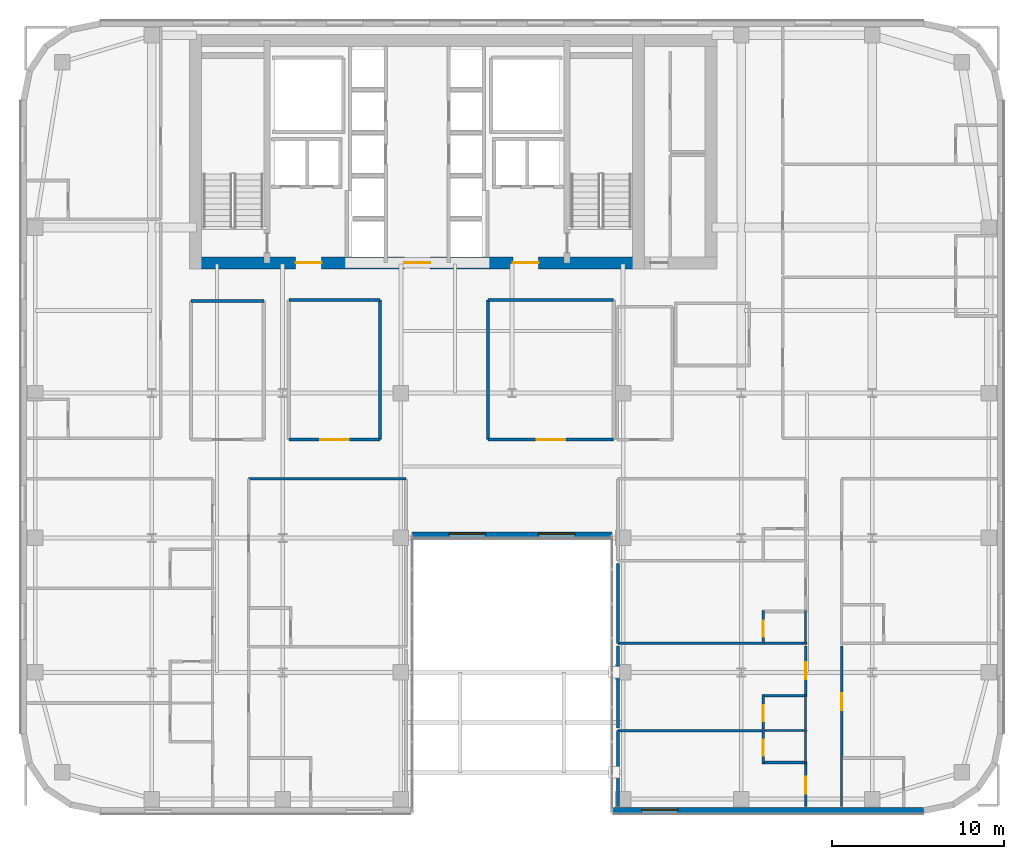
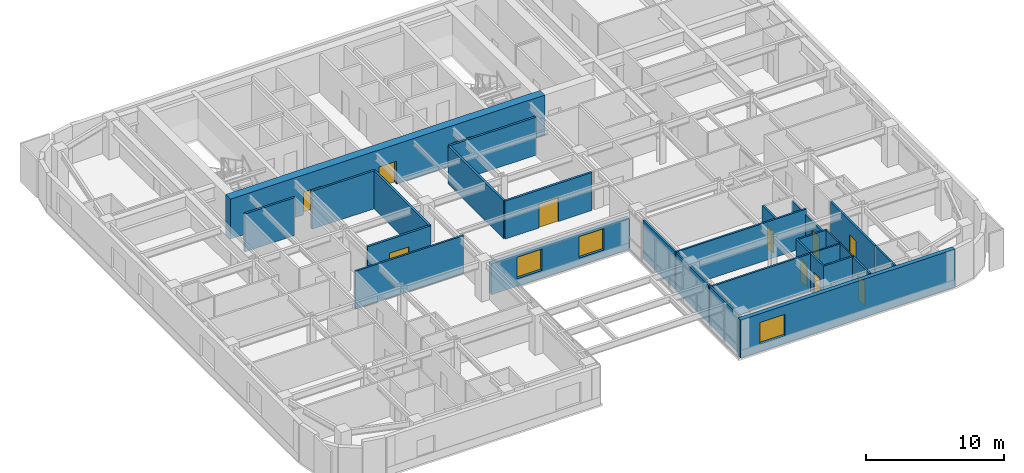
# One storey, part 15 of 24: 29 walls, 11 doors, 3 windows, 14 openings.
"""IFC4 building model written with IfcOpenShell, lengths in metres."""

from ifc_helpers import new_model, si_unit, direction, frame, frame_2d, origin, place, context, subcontext, project, spatial, rectangle, extrude, source, transform, mapped, material, layer, layer_set, type_object, type_shapes, element, fill, save


model = new_model("IFC4")

# Units and contexts
model_context = context("Model", 3, precision=1e-05, world=origin(), true_north=direction((0.0, 1.0)))
body_context = subcontext(model_context, "Body", "Model", "MODEL_VIEW")
ifc_project = project(units=[si_unit("LENGTHUNIT", "METRE"), si_unit("AREAUNIT", "SQUARE_METRE"), si_unit("VOLUMEUNIT", "CUBIC_METRE"), si_unit("PLANEANGLEUNIT", "RADIAN"), si_unit("MASSUNIT", "GRAM", prefix="KILO")], contexts=[model_context])

# Site, building, storey
site_placement = place(None, origin())
site = spatial("IfcSite", under=ifc_project, at=site_placement, CompositionType="ELEMENT")
building_placement = place(site_placement, origin())
building = spatial("IfcBuilding", under=site, at=building_placement, Name="Tolvann Quenvar Hotel", CompositionType="ELEMENT")
storey_placement = place(building_placement, frame((0.0, 0.0, 118.64990234375)))
storey = spatial("IfcBuildingStorey", under=building, at=storey_placement, Name="L30", CompositionType="ELEMENT", Elevation=118.64990234375)

# Wall, openings, doors
ifc_material_1 = material(Name="Concrete S65 (65 MPa)", Category="concrete")
ifc_layer_1 = layer(ifc_material_1, 0.699951171875)
ifc_layer_set_1 = layer_set([ifc_layer_1], Name="Concrete S65 (65 MPa)")
wall_type_1 = type_object("IfcWallType", Name="WALL_CORE_700", PredefinedType="SHEAR", material=ifc_layer_set_1)
wall_1_placement = place(storey_placement, frame((9.800048828125, 31.949951171875, 0.0), z_axis=(0.0, 0.0, 1.0), x_axis=(1.0, 0.0, 0.0)))
wall_1 = element("IfcWall", 1, at=wall_1_placement, inside=storey, type_object=wall_type_1, Name="Rear Core S Shear Wall (L30)", PredefinedType="SHEAR", context=body_context, shape_type="SweptSolid", body=[
    extrude(rectangle(XDim=26.39990234375, YDim=0.699951171875, at=frame_2d((13.199951171875, 0.0))), origin(), (0.0, 0.0, 1.0), 3.550048828125),
])
opening_1_placement = place(wall_1_placement, frame((7.64990234375, 0.0, 0.0), z_axis=(0.0, 0.0, 1.0), x_axis=(-1.0, 0.0, 0.0)))
opening_1 = element("IfcOpeningElement", 2, at=opening_1_placement, cuts=wall_1, Name="Opening FD-60D", PredefinedType="OPENING", context=body_context, shape_type="SweptSolid", body=[
    extrude(rectangle(XDim=1.5, YDim=2.0400390625, at=frame_2d((0.75, 1.02001953125))), frame((0.0, 0.35986328125, 0.0), z_axis=(0.0, -1.0, 0.0), x_axis=(1.0, 0.0, 0.0)), (0.0, 0.0, 1.0), 0.719970703125),
])
opening_2_placement = place(wall_1_placement, frame((13.949951171875, 0.0, 0.0), z_axis=(0.0, 0.0, 1.0), x_axis=(-1.0, 0.0, 0.0)))
opening_2 = element("IfcOpeningElement", 3, at=opening_2_placement, cuts=wall_1, Name="Opening FD-60D", PredefinedType="OPENING", context=body_context, shape_type="SweptSolid", body=[
    extrude(rectangle(XDim=1.5, YDim=2.0400390625, at=frame_2d((0.75, 1.02001953125))), frame((0.0, 0.35986328125, 0.0), z_axis=(0.0, -1.0, 0.0), x_axis=(1.0, 0.0, 0.0)), (0.0, 0.0, 1.0), 0.719970703125),
])
opening_3_placement = place(wall_1_placement, frame((20.25, 0.0, 0.0), z_axis=(0.0, 0.0, 1.0), x_axis=(-1.0, 0.0, 0.0)))
opening_3 = element("IfcOpeningElement", 4, at=opening_3_placement, cuts=wall_1, Name="Opening FD-60D", PredefinedType="OPENING", context=body_context, shape_type="SweptSolid", body=[
    extrude(rectangle(XDim=1.5, YDim=2.0400390625, at=frame_2d((0.75, 1.02001953125))), frame((0.0, 0.35986328125, 0.0), z_axis=(0.0, -1.0, 0.0), x_axis=(1.0, 0.0, 0.0)), (0.0, 0.0, 1.0), 0.719970703125),
])
ifc_material_2 = material(Name="Solid-core American oak acoustic fire door leaf in steel frame", Category="steel")
door_type_1 = type_object("IfcDoorType", Name="DOOR_FIRE_LOBBY_1500", OperationType="NOTDEFINED", PredefinedType="DOOR", material=ifc_material_2)
shared_shape_1 = source(origin(), body_context, "Body", "SweptSolid", [
    extrude(rectangle(XDim=1.5, YDim=2.0400390625, at=frame_2d((0.75, 1.02001953125))), frame((0.0, 0.02490234375, 0.0), z_axis=(0.0, -1.0, 0.0), x_axis=(1.0, 0.0, 0.0)), (0.0, 0.0, 1.0), 0.050048828125),
])
type_shapes(door_type_1, [shared_shape_1])
door_1_placement = place(opening_1_placement, origin())
door_1 = element("IfcDoor", 5, at=door_1_placement, inside=storey, type_object=door_type_1, Name="Core Lobby Fire Door FFW (L30)", OperationType="DOUBLE_DOOR_SINGLE_SWING", OverallHeight=2.0400390625, OverallWidth=1.5, PredefinedType="DOOR", context=body_context, shape_type="MappedRepresentation", body=[
    mapped(shared_shape_1, transform((0.0, 0.0, 0.0), x_axis=(1.0, 0.0, 0.0), y_axis=(0.0, 1.0, 0.0), z_axis=(0.0, 0.0, 1.0), scale=1.0)),
])
fill(opening_1, door_1)
door_2_placement = place(opening_2_placement, origin())
door_2 = element("IfcDoor", 6, at=door_2_placement, inside=storey, type_object=door_type_1, Name="Core Lobby Fire Door CLOB (L30)", OperationType="DOUBLE_DOOR_SINGLE_SWING", OverallHeight=2.0400390625, OverallWidth=1.5, PredefinedType="DOOR", context=body_context, shape_type="MappedRepresentation", body=[
    mapped(shared_shape_1, transform((0.0, 0.0, 0.0), x_axis=(1.0, 0.0, 0.0), y_axis=(0.0, 1.0, 0.0), z_axis=(0.0, 0.0, 1.0), scale=1.0)),
])
fill(opening_2, door_2)
door_3_placement = place(opening_3_placement, origin())
door_3 = element("IfcDoor", 7, at=door_3_placement, inside=storey, type_object=door_type_1, Name="Core Lobby Fire Door FFE (L30)", OperationType="DOUBLE_DOOR_SINGLE_SWING", OverallHeight=2.0400390625, OverallWidth=1.5, PredefinedType="DOOR", context=body_context, shape_type="MappedRepresentation", body=[
    mapped(shared_shape_1, transform((0.0, 0.0, 0.0), x_axis=(1.0, 0.0, 0.0), y_axis=(0.0, 1.0, 0.0), z_axis=(0.0, 0.0, 1.0), scale=1.0)),
])
fill(opening_3, door_3)

# Wall, openings, windows
ifc_material_3 = material(Name="Kiln-fired red and buff architectural clay brickwork and terracotta masonry", Category="masonry")
ifc_layer_2 = layer(ifc_material_3, 0.35009765625)
ifc_layer_set_2 = layer_set([ifc_layer_2], Name="Kiln-fired red and buff architectural clay brickwork and terracotta masonry")
wall_type_2 = type_object("IfcWallType", Name="WALL_EXT_BRICK_350", PredefinedType="SOLIDWALL", material=ifc_layer_set_2)
wall_2_placement = place(storey_placement, frame((22.7099609375, 16.175048828125, 0.0), z_axis=(0.0, 0.0, 1.0), x_axis=(1.0, 0.0, 0.0)))
wall_2 = element("IfcWall", 8, at=wall_2_placement, inside=storey, type_object=wall_type_2, Name="Exterior Chicago Brick Wall L30-E06", PredefinedType="SOLIDWALL", context=body_context, shape_type="SweptSolid", body=[
    extrude(rectangle(XDim=11.580078125, YDim=0.35009765625, at=frame_2d((5.7900390625, 0.0))), origin(), (0.0, 0.0, 1.0), 2.748046875),
])
opening_4_placement = place(wall_2_placement, frame((2.14501953125, 0.0, 0.679931640625)))
opening_4 = element("IfcOpeningElement", 9, at=opening_4_placement, cuts=wall_2, Name="Opening W-02", PredefinedType="OPENING", context=body_context, shape_type="SweptSolid", body=[
    extrude(rectangle(XDim=2.10009765625, YDim=1.89990234375, at=frame_2d((1.050048828125, 0.949951171875))), frame((0.0, 0.18505859375, 0.0), z_axis=(0.0, -1.0, 0.0), x_axis=(1.0, 0.0, 0.0)), (0.0, 0.0, 1.0), 0.3701171875),
])
opening_5_placement = place(wall_2_placement, frame((7.3349609375, 0.0, 0.679931640625)))
opening_5 = element("IfcOpeningElement", 10, at=opening_5_placement, cuts=wall_2, Name="Opening W-02", PredefinedType="OPENING", context=body_context, shape_type="SweptSolid", body=[
    extrude(rectangle(XDim=2.10009765625, YDim=1.89990234375, at=frame_2d((1.050048828125, 0.949951171875))), frame((0.0, 0.18505859375, 0.0), z_axis=(0.0, -1.0, 0.0), x_axis=(1.0, 0.0, 0.0)), (0.0, 0.0, 1.0), 0.3701171875),
])
ifc_material_4 = material(Name="Thermally broken bronze-anodised aluminium frame with double low-E glazing", Category="aluminium")
window_type = type_object("IfcWindowType", Name="WIN_CHI_2100x2050", PartitioningType="TRIPLE_PANEL_HORIZONTAL", PredefinedType="WINDOW", material=ifc_material_4)
shared_shape_2 = source(origin(), body_context, "Body", "SweptSolid", [
    extrude(rectangle(XDim=2.10009765625, YDim=1.89990234375, at=frame_2d((1.050048828125, 0.949951171875))), frame((0.0, 0.090087890625, 0.0), z_axis=(0.0, -1.0, 0.0), x_axis=(1.0, 0.0, 0.0)), (0.0, 0.0, 1.0), 0.06005859375),
])
type_shapes(window_type, [shared_shape_2])
window_1_placement = place(opening_4_placement, origin())
window_1 = element("IfcWindow", 11, at=window_1_placement, inside=storey, type_object=window_type, Name="Chicago Window W-02 (EW-L30-E06-W01)", OverallHeight=1.89990234375, OverallWidth=2.10009765625, PartitioningType="TRIPLE_PANEL_HORIZONTAL", PredefinedType="WINDOW", context=body_context, shape_type="MappedRepresentation", body=[
    mapped(shared_shape_2, transform((0.0, 0.0, 0.0), x_axis=(1.0, 0.0, 0.0), y_axis=(0.0, 1.0, 0.0), z_axis=(0.0, 0.0, 1.0), scale=1.0)),
])
fill(opening_4, window_1)
window_2_placement = place(opening_5_placement, origin())
window_2 = element("IfcWindow", 12, at=window_2_placement, inside=storey, type_object=window_type, Name="Chicago Window W-02 (EW-L30-E06-W02)", OverallHeight=1.89990234375, OverallWidth=2.10009765625, PartitioningType="TRIPLE_PANEL_HORIZONTAL", PredefinedType="WINDOW", context=body_context, shape_type="MappedRepresentation", body=[
    mapped(shared_shape_2, transform((0.0, 0.0, 0.0), x_axis=(1.0, 0.0, 0.0), y_axis=(0.0, 1.0, 0.0), z_axis=(0.0, 0.0, 1.0), scale=1.0)),
])
fill(opening_5, window_2)

# Wall, opening, window
wall_3_placement = place(storey_placement, frame((34.375, 0.175048828125, 0.0), z_axis=(0.0, 0.0, 1.0), x_axis=(1.0, 0.0, 0.0)))
wall_3 = element("IfcWall", 13, at=wall_3_placement, inside=storey, type_object=wall_type_2, Name="Exterior Chicago Brick Wall L30-E08", PredefinedType="SOLIDWALL", context=body_context, shape_type="SweptSolid", body=[
    extrude(rectangle(XDim=18.0078125, YDim=0.35009765625, at=frame_2d((9.00390625, 0.0))), origin(), (0.0, 0.0, 1.0), 3.3701171875),
])
opening_6_placement = place(wall_3_placement, frame((1.65087890625, 0.0, 0.679931640625)))
opening_6 = element("IfcOpeningElement", 14, at=opening_6_placement, cuts=wall_3, Name="Opening W-02", PredefinedType="OPENING", context=body_context, shape_type="SweptSolid", body=[
    extrude(rectangle(XDim=2.10009765625, YDim=1.89990234375, at=frame_2d((1.050048828125, 0.949951171875))), frame((0.0, 0.18505859375, 0.0), z_axis=(0.0, -1.0, 0.0), x_axis=(1.0, 0.0, 0.0)), (0.0, 0.0, 1.0), 0.3701171875),
])
window_3_placement = place(opening_6_placement, origin())
window_3 = element("IfcWindow", 15, at=window_3_placement, inside=storey, type_object=window_type, Name="Chicago Window W-02 (EW-L30-E08-W01)", OverallHeight=1.89990234375, OverallWidth=2.10009765625, PartitioningType="TRIPLE_PANEL_HORIZONTAL", PredefinedType="WINDOW", context=body_context, shape_type="MappedRepresentation", body=[
    mapped(shared_shape_2, transform((0.0, 0.0, 0.0), x_axis=(1.0, 0.0, 0.0), y_axis=(0.0, 1.0, 0.0), z_axis=(0.0, 0.0, 1.0), scale=1.0)),
])
fill(opening_6, window_3)

# Wall
ifc_material_5 = material(Name="Acoustic twin-stud fire-rated gypsum plasterboard partition")
ifc_layer_3 = layer(ifc_material_5, 0.179931640625)
ifc_layer_set_3 = layer_set([ifc_layer_3], Name="Acoustic twin-stud fire-rated gypsum plasterboard partition")
wall_type_3 = type_object("IfcWallType", Name="WALL_PART_ACOUSTIC_180", PredefinedType="PARTITIONING", material=ifc_layer_set_3)
wall_4_placement = place(storey_placement, frame((9.8798828125, 29.75, 0.0), z_axis=(0.0, 0.0, 1.0), x_axis=(1.0, 0.0, 0.0)))
element("IfcWall", 16, at=wall_4_placement, inside=storey, type_object=wall_type_3, Name="Interior Partition PT-SPC-L30-MSP-W-N", PredefinedType="PARTITIONING", context=body_context, shape_type="SweptSolid", body=[
    extrude(rectangle(XDim=4.22021484375, YDim=0.179931640625, at=frame_2d((2.110107421875, 0.0))), origin(), (0.0, 0.0, 1.0), 3.3701171875),
])

# Wall, opening, door
wall_5_placement = place(storey_placement, frame((27.10009765625, 21.699951171875, 0.0), z_axis=(0.0, 0.0, 1.0), x_axis=(1.0, 0.0, 0.0)))
wall_5 = element("IfcWall", 17, at=wall_5_placement, inside=storey, type_object=wall_type_3, Name="Interior Partition PT-SPC-L30-MSP-C-S", PredefinedType="PARTITIONING", context=body_context, shape_type="SweptSolid", body=[
    extrude(rectangle(XDim=7.2998046875, YDim=0.179931640625, at=frame_2d((3.64990234375, 0.0))), origin(), (0.0, 0.0, 1.0), 3.3701171875),
])
opening_7_placement = place(wall_5_placement, frame((2.824951171875, 0.0, 0.0)))
opening_7 = element("IfcOpeningElement", 18, at=opening_7_placement, cuts=wall_5, Name="Opening AD-01", PredefinedType="OPENING", context=body_context, shape_type="SweptSolid", body=[
    extrude(rectangle(XDim=1.64990234375, YDim=2.14990234375, at=frame_2d((0.824951171875, 1.074951171875))), frame((0.0, 0.10009765625, 0.0), z_axis=(0.0, -1.0, 0.0), x_axis=(1.0, 0.0, 0.0)), (0.0, 0.0, 1.0), 0.199951171875),
])
door_type_2 = type_object("IfcDoorType", Name="DOOR_SALON_1650", OperationType="NOTDEFINED", PredefinedType="DOOR", material=ifc_material_2)
shared_shape_3 = source(origin(), body_context, "Body", "SweptSolid", [
    extrude(rectangle(XDim=1.64990234375, YDim=2.14990234375, at=frame_2d((0.824951171875, 1.074951171875))), frame((0.0, 0.02490234375, 0.0), z_axis=(0.0, -1.0, 0.0), x_axis=(1.0, 0.0, 0.0)), (0.0, 0.0, 1.0), 0.050048828125),
])
type_shapes(door_type_2, [shared_shape_3])
door_4_placement = place(opening_7_placement, origin())
door_4 = element("IfcDoor", 19, at=door_4_placement, inside=storey, type_object=door_type_2, Name="Interior Door DOOR-SPC-L30-MSP-C", OperationType="DOUBLE_DOOR_SINGLE_SWING", OverallHeight=2.14990234375, OverallWidth=1.64990234375, PredefinedType="DOOR", context=body_context, shape_type="MappedRepresentation", body=[
    mapped(shared_shape_3, transform((0.0, 0.0, 0.0), x_axis=(1.0, 0.0, 0.0), y_axis=(0.0, 1.0, 0.0), z_axis=(0.0, 0.0, 1.0), scale=1.0)),
])
fill(opening_7, door_4)

# Walls
wall_6_placement = place(storey_placement, frame((27.10009765625, 29.800048828125, 0.0), z_axis=(0.0, 0.0, 1.0), x_axis=(1.0, 0.0, 0.0)))
element("IfcWall", 20, at=wall_6_placement, inside=storey, type_object=wall_type_3, Name="Interior Partition PT-SPC-L30-MSP-C-N", PredefinedType="PARTITIONING", context=body_context, shape_type="SweptSolid", body=[
    extrude(rectangle(XDim=7.2998046875, YDim=0.179931640625, at=frame_2d((3.64990234375, 0.0))), origin(), (0.0, 0.0, 1.0), 3.3701171875),
])
wall_7_placement = place(storey_placement, frame((27.10009765625, 21.699951171875, 0.0), z_axis=(0.0, 0.0, 1.0), x_axis=(0.0, 1.0, 0.0)))
element("IfcWall", 21, at=wall_7_placement, inside=storey, type_object=wall_type_3, Name="Interior Partition PT-SPC-L30-MSP-C-W", PredefinedType="PARTITIONING", context=body_context, shape_type="SweptSolid", body=[
    extrude(rectangle(XDim=8.10009765625, YDim=0.179931640625, at=frame_2d((4.050048828125, 0.0))), origin(), (0.0, 0.0, 1.0), 3.3701171875),
])

# Wall, opening, door
wall_8_placement = place(storey_placement, frame((15.550048828125, 21.699951171875, 0.0), z_axis=(0.0, 0.0, 1.0), x_axis=(1.0, 0.0, 0.0)))
wall_8 = element("IfcWall", 22, at=wall_8_placement, inside=storey, type_object=wall_type_3, Name="Interior Partition PT-SPC-L30-MSP-N-S", PredefinedType="PARTITIONING", context=body_context, shape_type="SweptSolid", body=[
    extrude(rectangle(XDim=5.300048828125, YDim=0.179931640625, at=frame_2d((2.64990234375, 0.0))), origin(), (0.0, 0.0, 1.0), 3.3701171875),
])
opening_8_placement = place(wall_8_placement, frame((1.824951171875, 0.0, 0.0)))
opening_8 = element("IfcOpeningElement", 23, at=opening_8_placement, cuts=wall_8, Name="Opening AD-01", PredefinedType="OPENING", context=body_context, shape_type="SweptSolid", body=[
    extrude(rectangle(XDim=1.64990234375, YDim=2.14990234375, at=frame_2d((0.824951171875, 1.074951171875))), frame((0.0, 0.10009765625, 0.0), z_axis=(0.0, -1.0, 0.0), x_axis=(1.0, 0.0, 0.0)), (0.0, 0.0, 1.0), 0.199951171875),
])
door_5_placement = place(opening_8_placement, origin())
door_5 = element("IfcDoor", 24, at=door_5_placement, inside=storey, type_object=door_type_2, Name="Interior Door DOOR-SPC-L30-MSP-N", OperationType="DOUBLE_DOOR_SINGLE_SWING", OverallHeight=2.14990234375, OverallWidth=1.64990234375, PredefinedType="DOOR", context=body_context, shape_type="MappedRepresentation", body=[
    mapped(shared_shape_3, transform((0.0, 0.0, 0.0), x_axis=(1.0, 0.0, 0.0), y_axis=(0.0, 1.0, 0.0), z_axis=(0.0, 0.0, 1.0), scale=1.0)),
])
fill(opening_8, door_5)

# Walls
wall_9_placement = place(storey_placement, frame((15.550048828125, 29.800048828125, 0.0), z_axis=(0.0, 0.0, 1.0), x_axis=(1.0, 0.0, 0.0)))
element("IfcWall", 25, at=wall_9_placement, inside=storey, type_object=wall_type_3, Name="Interior Partition PT-SPC-L30-MSP-N-N", PredefinedType="PARTITIONING", context=body_context, shape_type="SweptSolid", body=[
    extrude(rectangle(XDim=5.300048828125, YDim=0.179931640625, at=frame_2d((2.64990234375, 0.0))), origin(), (0.0, 0.0, 1.0), 3.3701171875),
])
wall_10_placement = place(storey_placement, frame((20.85009765625, 21.699951171875, 0.0), z_axis=(0.0, 0.0, 1.0), x_axis=(0.0, 1.0, 0.0)))
element("IfcWall", 26, at=wall_10_placement, inside=storey, type_object=wall_type_3, Name="Interior Partition PT-SPC-L30-MSP-N-E", PredefinedType="PARTITIONING", context=body_context, shape_type="SweptSolid", body=[
    extrude(rectangle(XDim=8.10009765625, YDim=0.179931640625, at=frame_2d((4.050048828125, 0.0))), origin(), (0.0, 0.0, 1.0), 3.3701171875),
])
ifc_material_6 = material(Name="Moisture-resistant acoustic plumbing wall assembly")
ifc_layer_4 = layer(ifc_material_6, 0.1201171875)
ifc_layer_set_4 = layer_set([ifc_layer_4], Name="Moisture-resistant acoustic plumbing wall assembly")
wall_type_4 = type_object("IfcWallType", Name="WALL_PART_BATH_120", PredefinedType="PLUMBINGWALL", material=ifc_layer_set_4)
wall_11_placement = place(storey_placement, frame((43.010009765625, 4.820068359375, 0.0), z_axis=(0.0, 0.0, 1.0), x_axis=(1.0, 0.0, 0.0)))
element("IfcWall", 27, at=wall_11_placement, inside=storey, type_object=wall_type_4, Name="Non-Rated Plumbing Partition PT-SPC-L30-ENS-EI01-N", PredefinedType="PLUMBINGWALL", context=body_context, shape_type="SweptSolid", body=[
    extrude(rectangle(XDim=2.590087890625, YDim=0.1201171875, at=frame_2d((1.294921875, 0.0))), origin(), (0.0, 0.0, 1.0), 3.3701171875),
])
for number, where, z_axis, x_axis, name in (
    (28, (45.530029296875, 2.89990234375, 0.0), (0.0, 0.0, 1.0), (0.0, 1.0, 0.0), "Non-Rated Plumbing Partition PT-SPC-L30-ENS-EI01-E"),
    (29, (45.530029296875, 4.909912109375, 0.0), (0.0, 0.0, 1.0), (0.0, 1.0, 0.0), "Non-Rated Plumbing Partition PT-SPC-L30-ENS-EI02-E"),
):
    element("IfcWall", number, at=place(storey_placement, frame(where, z_axis=z_axis, x_axis=x_axis)), inside=storey, type_object=wall_type_4, Name=name, PredefinedType="PLUMBINGWALL", context=body_context, shape_type="SweptSolid", body=[
        extrude(rectangle(XDim=1.989990234375, YDim=0.1201171875, at=frame_2d((0.9951171875, 0.0))), origin(), (0.0, 0.0, 1.0), 3.3701171875),
    ])
wall_12_placement = place(storey_placement, frame((45.530029296875, 9.81005859375, 0.0), z_axis=(0.0, 0.0, 1.0), x_axis=(0.0, 1.0, 0.0)))
element("IfcWall", 30, at=wall_12_placement, inside=storey, type_object=wall_type_4, Name="Non-Rated Plumbing Partition PT-SPC-L30-ENS-EI03-E", PredefinedType="PLUMBINGWALL", context=body_context, shape_type="SweptSolid", body=[
    extrude(rectangle(XDim=1.989990234375, YDim=0.1201171875, at=frame_2d((0.9951171875, 0.0))), origin(), (0.0, 0.0, 1.0), 2.9541015625),
])
wall_13_placement = place(storey_placement, frame((47.6201171875, 0.405029296875, 0.0), z_axis=(0.0, 0.0, 1.0), x_axis=(0.0, 1.0, 0.0)))
element("IfcWall", 31, at=wall_13_placement, inside=storey, type_object=wall_type_4, Name="Non-Rated Plumbing Partition PT-SPC-L30-ENS-EO01-W", PredefinedType="PLUMBINGWALL", context=body_context, shape_type="SweptSolid", body=[
    extrude(rectangle(XDim=2.89501953125, YDim=0.1201171875, at=frame_2d((1.447509765625, 0.0))), origin(), (0.0, 0.0, 1.0), 3.3701171875),
])

# Wall, opening, door
ifc_layer_5 = layer(ifc_material_5, 0.14990234375)
ifc_layer_set_5 = layer_set([ifc_layer_5], Name="Acoustic twin-stud fire-rated gypsum plasterboard partition")
wall_type_5 = type_object("IfcWallType", Name="WALL_PART_SUITE_150", PredefinedType="PARTITIONING", material=ifc_layer_set_5)
wall_14_placement = place(storey_placement, frame((43.080078125, 2.89990234375, 0.0), z_axis=(0.0, 0.0, 1.0), x_axis=(0.0, 1.0, 0.0)))
wall_14 = element("IfcWall", 32, at=wall_14_placement, inside=storey, type_object=wall_type_5, Name="Interior Partition PT-SPC-L30-ENS-EI01-ENT", PredefinedType="PARTITIONING", context=body_context, shape_type="SweptSolid", body=[
    extrude(rectangle(XDim=1.989990234375, YDim=0.14990234375, at=frame_2d((0.9951171875, 0.0))), origin(), (0.0, 0.0, 1.0), 3.3701171875),
])
opening_9_placement = place(wall_14_placement, frame((0.465087890625, 0.0, 0.0)))
opening_9 = element("IfcOpeningElement", 33, at=opening_9_placement, cuts=wall_14, Name="Opening WD-01", PredefinedType="OPENING", context=body_context, shape_type="SweptSolid", body=[
    extrude(rectangle(XDim=0.919921875, YDim=2.010009765625, at=frame_2d((0.4599609375, 1.0048828125))), frame((0.0, 0.0849609375, 0.0), z_axis=(0.0, -1.0, 0.0), x_axis=(1.0, 0.0, 0.0)), (0.0, 0.0, 1.0), 0.169921875),
])
door_type_3 = type_object("IfcDoorType", Name="DOOR_WC_920", OperationType="NOTDEFINED", PredefinedType="DOOR", material=ifc_material_2)
shared_shape_4 = source(origin(), body_context, "Body", "SweptSolid", [
    extrude(rectangle(XDim=0.919921875, YDim=2.010009765625, at=frame_2d((0.4599609375, 1.0048828125))), frame((0.0, 0.02490234375, 0.0), z_axis=(0.0, -1.0, 0.0), x_axis=(1.0, 0.0, 0.0)), (0.0, 0.0, 1.0), 0.050048828125),
])
type_shapes(door_type_3, [shared_shape_4])
door_6_placement = place(opening_9_placement, origin())
door_6 = element("IfcDoor", 34, at=door_6_placement, inside=storey, type_object=door_type_3, Name="Interior Door DOOR-SPC-L30-ENS-EI01", OperationType="SINGLE_SWING_LEFT", OverallHeight=2.010009765625, OverallWidth=0.919921875, PredefinedType="DOOR", context=body_context, shape_type="MappedRepresentation", body=[
    mapped(shared_shape_4, transform((0.0, 0.0, 0.0), x_axis=(1.0, 0.0, 0.0), y_axis=(0.0, 1.0, 0.0), z_axis=(0.0, 0.0, 1.0), scale=1.0)),
])
fill(opening_9, door_6)

# Wall
wall_15_placement = place(storey_placement, frame((43.010009765625, 2.969970703125, 0.0), z_axis=(0.0, 0.0, 1.0), x_axis=(1.0, 0.0, 0.0)))
element("IfcWall", 35, at=wall_15_placement, inside=storey, type_object=wall_type_5, Name="Interior Partition PT-SPC-L30-ENS-EI01-S", PredefinedType="PARTITIONING", context=body_context, shape_type="SweptSolid", body=[
    extrude(rectangle(XDim=2.590087890625, YDim=0.14990234375, at=frame_2d((1.294921875, 0.0))), origin(), (0.0, 0.0, 1.0), 3.3701171875),
])

# Wall, opening, door
wall_16_placement = place(storey_placement, frame((43.080078125, 4.909912109375, 0.0), z_axis=(0.0, 0.0, 1.0), x_axis=(0.0, 1.0, 0.0)))
wall_16 = element("IfcWall", 36, at=wall_16_placement, inside=storey, type_object=wall_type_5, Name="Interior Partition PT-SPC-L30-ENS-EI02-ENT", PredefinedType="PARTITIONING", context=body_context, shape_type="SweptSolid", body=[
    extrude(rectangle(XDim=1.989990234375, YDim=0.14990234375, at=frame_2d((0.9951171875, 0.0))), origin(), (0.0, 0.0, 1.0), 3.3701171875),
])
opening_10_placement = place(wall_16_placement, frame((0.465087890625, 0.0, 0.0)))
opening_10 = element("IfcOpeningElement", 37, at=opening_10_placement, cuts=wall_16, Name="Opening WD-01", PredefinedType="OPENING", context=body_context, shape_type="SweptSolid", body=[
    extrude(rectangle(XDim=0.919921875, YDim=2.010009765625, at=frame_2d((0.4599609375, 1.0048828125))), frame((0.0, 0.0849609375, 0.0), z_axis=(0.0, -1.0, 0.0), x_axis=(1.0, 0.0, 0.0)), (0.0, 0.0, 1.0), 0.169921875),
])
door_7_placement = place(opening_10_placement, origin())
door_7 = element("IfcDoor", 38, at=door_7_placement, inside=storey, type_object=door_type_3, Name="Interior Door DOOR-SPC-L30-ENS-EI02", OperationType="SINGLE_SWING_RIGHT", OverallHeight=2.010009765625, OverallWidth=0.919921875, PredefinedType="DOOR", context=body_context, shape_type="MappedRepresentation", body=[
    mapped(shared_shape_4, transform((0.0, 0.0, 0.0), x_axis=(1.0, 0.0, 0.0), y_axis=(0.0, 1.0, 0.0), z_axis=(0.0, 0.0, 1.0), scale=1.0)),
])
fill(opening_10, door_7)

# Wall
wall_17_placement = place(storey_placement, frame((43.010009765625, 6.830078125, 0.0), z_axis=(0.0, 0.0, 1.0), x_axis=(1.0, 0.0, 0.0)))
element("IfcWall", 39, at=wall_17_placement, inside=storey, type_object=wall_type_5, Name="Interior Partition PT-SPC-L30-ENS-EI02-N", PredefinedType="PARTITIONING", context=body_context, shape_type="SweptSolid", body=[
    extrude(rectangle(XDim=2.590087890625, YDim=0.14990234375, at=frame_2d((1.294921875, 0.0))), origin(), (0.0, 0.0, 1.0), 3.3701171875),
])

# Wall, opening, door
wall_18_placement = place(storey_placement, frame((43.080078125, 9.81005859375, 0.0), z_axis=(0.0, 0.0, 1.0), x_axis=(0.0, 1.0, 0.0)))
wall_18 = element("IfcWall", 40, at=wall_18_placement, inside=storey, type_object=wall_type_5, Name="Interior Partition PT-SPC-L30-ENS-EI03-ENT", PredefinedType="PARTITIONING", context=body_context, shape_type="SweptSolid", body=[
    extrude(rectangle(XDim=1.989990234375, YDim=0.14990234375, at=frame_2d((0.9951171875, 0.0))), origin(), (0.0, 0.0, 1.0), 3.3701171875),
])
opening_11_placement = place(wall_18_placement, frame((0.465087890625, 0.0, 0.0)))
opening_11 = element("IfcOpeningElement", 41, at=opening_11_placement, cuts=wall_18, Name="Opening WD-01", PredefinedType="OPENING", context=body_context, shape_type="SweptSolid", body=[
    extrude(rectangle(XDim=0.919921875, YDim=2.010009765625, at=frame_2d((0.4599609375, 1.0048828125))), frame((0.0, 0.0849609375, 0.0), z_axis=(0.0, -1.0, 0.0), x_axis=(1.0, 0.0, 0.0)), (0.0, 0.0, 1.0), 0.169921875),
])
door_8_placement = place(opening_11_placement, origin())
door_8 = element("IfcDoor", 42, at=door_8_placement, inside=storey, type_object=door_type_3, Name="Interior Door DOOR-SPC-L30-ENS-EI03", OperationType="SINGLE_SWING_LEFT", OverallHeight=2.010009765625, OverallWidth=0.919921875, PredefinedType="DOOR", context=body_context, shape_type="MappedRepresentation", body=[
    mapped(shared_shape_4, transform((0.0, 0.0, 0.0), x_axis=(1.0, 0.0, 0.0), y_axis=(0.0, 1.0, 0.0), z_axis=(0.0, 0.0, 1.0), scale=1.0)),
])
fill(opening_11, door_8)

# Walls
wall_19_placement = place(storey_placement, frame((34.64990234375, 9.8798828125, 0.0), z_axis=(0.0, 0.0, 1.0), x_axis=(1.0, 0.0, 0.0)))
element("IfcWall", 43, at=wall_19_placement, inside=storey, type_object=wall_type_5, Name="Interior Partition PT-SPC-L30-ENS-EI03-S", PredefinedType="PARTITIONING", context=body_context, shape_type="SweptSolid", body=[
    extrude(rectangle(XDim=10.9501953125, YDim=0.14990234375, at=frame_2d((5.47509765625, 0.0))), origin(), (0.0, 0.0, 1.0), 3.3701171875),
])
wall_20_placement = place(storey_placement, frame((13.219970703125, 19.419921875, 0.0), z_axis=(0.0, 0.0, 1.0), x_axis=(1.0, 0.0, 0.0)))
element("IfcWall", 44, at=wall_20_placement, inside=storey, type_object=wall_type_5, Name="Interior Partition PT-SPC-L30-RM-WI02-E5", PredefinedType="PARTITIONING", context=body_context, shape_type="SweptSolid", body=[
    extrude(rectangle(XDim=9.130126953125, YDim=0.14990234375, at=frame_2d((4.56494140625, 0.0))), origin(), (0.0, 0.0, 1.0), 3.3701171875),
])

# Wall, opening, door
wall_21_placement = place(storey_placement, frame((45.530029296875, 0.405029296875, 0.0), z_axis=(0.0, 0.0, 1.0), x_axis=(0.0, 1.0, 0.0)))
wall_21 = element("IfcWall", 45, at=wall_21_placement, inside=storey, type_object=wall_type_5, Name="Interior Partition PT-SPC-L30-RM-EI01-ENT", PredefinedType="PARTITIONING", context=body_context, shape_type="SweptSolid", body=[
    extrude(rectangle(XDim=2.48486328125, YDim=0.14990234375, at=frame_2d((1.242431640625, 0.0))), origin(), (0.0, 0.0, 1.0), 3.3701171875),
])
opening_12_placement = place(wall_21_placement, frame((0.760009765625, 0.0, 0.0)))
opening_12 = element("IfcOpeningElement", 46, at=opening_12_placement, cuts=wall_21, Name="Opening SD-01", PredefinedType="OPENING", context=body_context, shape_type="SweptSolid", body=[
    extrude(rectangle(XDim=0.97998046875, YDim=2.1201171875, at=frame_2d((0.489990234375, 1.06005859375))), frame((0.0, 0.0849609375, 0.0), z_axis=(0.0, -1.0, 0.0), x_axis=(1.0, 0.0, 0.0)), (0.0, 0.0, 1.0), 0.169921875),
])
door_type_4 = type_object("IfcDoorType", Name="DOOR_SUITE_980", OperationType="NOTDEFINED", PredefinedType="DOOR", material=ifc_material_2)
shared_shape_5 = source(origin(), body_context, "Body", "SweptSolid", [
    extrude(rectangle(XDim=0.97998046875, YDim=2.1201171875, at=frame_2d((0.489990234375, 1.06005859375))), frame((0.0, 0.02490234375, 0.0), z_axis=(0.0, -1.0, 0.0), x_axis=(1.0, 0.0, 0.0)), (0.0, 0.0, 1.0), 0.050048828125),
])
type_shapes(door_type_4, [shared_shape_5])
door_9_placement = place(opening_12_placement, origin())
door_9 = element("IfcDoor", 47, at=door_9_placement, inside=storey, type_object=door_type_4, Name="Interior Door DOOR-SPC-L30-RM-EI01", OperationType="SINGLE_SWING_LEFT", OverallHeight=2.1201171875, OverallWidth=0.97998046875, PredefinedType="DOOR", context=body_context, shape_type="MappedRepresentation", body=[
    mapped(shared_shape_5, transform((0.0, 0.0, 0.0), x_axis=(1.0, 0.0, 0.0), y_axis=(0.0, 1.0, 0.0), z_axis=(0.0, 0.0, 1.0), scale=1.0)),
])
fill(opening_12, door_9)

# Walls
wall_22_placement = place(storey_placement, frame((34.64990234375, 4.820068359375, 0.0), z_axis=(0.0, 0.0, 1.0), x_axis=(1.0, 0.0, 0.0)))
element("IfcWall", 48, at=wall_22_placement, inside=storey, type_object=wall_type_5, Name="Interior Partition PT-SPC-L30-RM-EI01-E5", PredefinedType="PARTITIONING", context=body_context, shape_type="SweptSolid", body=[
    extrude(rectangle(XDim=8.41015625, YDim=0.14990234375, at=frame_2d((4.205078125, 0.0))), origin(), (0.0, 0.0, 1.0), 3.3701171875),
])
wall_23_placement = place(storey_placement, frame((34.64990234375, 0.405029296875, 0.0), z_axis=(0.0, 0.0, 1.0), x_axis=(0.0, 1.0, 0.0)))
element("IfcWall", 49, at=wall_23_placement, inside=storey, type_object=wall_type_5, Name="Interior Partition PT-SPC-L30-RM-EI01-E6", PredefinedType="PARTITIONING", context=body_context, shape_type="SweptSolid", body=[
    extrude(rectangle(XDim=4.4150390625, YDim=0.14990234375, at=frame_2d((2.20751953125, 0.0))), origin(), (0.0, 0.0, 1.0), 3.3701171875),
])

# Wall, opening, door
wall_24_placement = place(storey_placement, frame((45.530029296875, 6.909912109375, 0.0), z_axis=(0.0, 0.0, 1.0), x_axis=(0.0, 1.0, 0.0)))
wall_24 = element("IfcWall", 50, at=wall_24_placement, inside=storey, type_object=wall_type_5, Name="Interior Partition PT-SPC-L30-RM-EI02-ENT", PredefinedType="PARTITIONING", context=body_context, shape_type="SweptSolid", body=[
    extrude(rectangle(XDim=2.81005859375, YDim=0.14990234375, at=frame_2d((1.405029296875, 0.0))), origin(), (0.0, 0.0, 1.0), 2.9541015625),
])
opening_13_placement = place(wall_24_placement, frame((0.89501953125, 0.0, 0.0)))
opening_13 = element("IfcOpeningElement", 51, at=opening_13_placement, cuts=wall_24, Name="Opening SD-01", PredefinedType="OPENING", context=body_context, shape_type="SweptSolid", body=[
    extrude(rectangle(XDim=0.97998046875, YDim=2.1201171875, at=frame_2d((0.489990234375, 1.06005859375))), frame((0.0, 0.0849609375, 0.0), z_axis=(0.0, -1.0, 0.0), x_axis=(1.0, 0.0, 0.0)), (0.0, 0.0, 1.0), 0.169921875),
])
door_10_placement = place(opening_13_placement, origin())
door_10 = element("IfcDoor", 52, at=door_10_placement, inside=storey, type_object=door_type_4, Name="Interior Door DOOR-SPC-L30-RM-EI02", OperationType="SINGLE_SWING_RIGHT", OverallHeight=2.1201171875, OverallWidth=0.97998046875, PredefinedType="DOOR", context=body_context, shape_type="MappedRepresentation", body=[
    mapped(shared_shape_5, transform((0.0, 0.0, 0.0), x_axis=(1.0, 0.0, 0.0), y_axis=(0.0, 1.0, 0.0), z_axis=(0.0, 0.0, 1.0), scale=1.0)),
])
fill(opening_13, door_10)

# Walls
wall_25_placement = place(storey_placement, frame((34.64990234375, 4.97998046875, 0.0), z_axis=(0.0, 0.0, 1.0), x_axis=(0.0, 1.0, 0.0)))
element("IfcWall", 53, at=wall_25_placement, inside=storey, type_object=wall_type_5, Name="Interior Partition PT-SPC-L30-RM-EI02-E6", PredefinedType="PARTITIONING", context=body_context, shape_type="SweptSolid", body=[
    extrude(rectangle(XDim=4.739990234375, YDim=0.14990234375, at=frame_2d((2.3701171875, 0.0))), origin(), (0.0, 0.0, 1.0), 3.3701171875),
])
wall_26_placement = place(storey_placement, frame((34.64990234375, 9.8798828125, 0.0), z_axis=(0.0, 0.0, 1.0), x_axis=(0.0, 1.0, 0.0)))
element("IfcWall", 54, at=wall_26_placement, inside=storey, type_object=wall_type_5, Name="Interior Partition PT-SPC-L30-RM-EI03-E6", PredefinedType="PARTITIONING", context=body_context, shape_type="SweptSolid", body=[
    extrude(rectangle(XDim=4.64013671875, YDim=0.14990234375, at=frame_2d((2.320068359375, 0.0))), origin(), (0.0, 0.0, 1.0), 3.3701171875),
])

# Wall, opening, door
wall_27_placement = place(storey_placement, frame((47.6201171875, 3.31005859375, 0.0), z_axis=(0.0, 0.0, 1.0), x_axis=(0.0, 1.0, 0.0)))
wall_27 = element("IfcWall", 55, at=wall_27_placement, inside=storey, type_object=wall_type_5, Name="Interior Partition PT-SPC-L30-RM-EO01-ENT", PredefinedType="PARTITIONING", context=body_context, shape_type="SweptSolid", body=[
    extrude(rectangle(XDim=6.409912109375, YDim=0.14990234375, at=frame_2d((3.205078125, 0.0))), origin(), (0.0, 0.0, 1.0), 3.3701171875),
])
opening_14_placement = place(wall_27_placement, frame((2.695068359375, 0.0, 0.0)))
opening_14 = element("IfcOpeningElement", 56, at=opening_14_placement, cuts=wall_27, Name="Opening SD-01", PredefinedType="OPENING", context=body_context, shape_type="SweptSolid", body=[
    extrude(rectangle(XDim=0.97998046875, YDim=2.1201171875, at=frame_2d((0.489990234375, 1.06005859375))), frame((0.0, 0.0849609375, 0.0), z_axis=(0.0, -1.0, 0.0), x_axis=(1.0, 0.0, 0.0)), (0.0, 0.0, 1.0), 0.169921875),
])
door_11_placement = place(opening_14_placement, origin())
door_11 = element("IfcDoor", 57, at=door_11_placement, inside=storey, type_object=door_type_4, Name="Interior Door DOOR-SPC-L30-RM-EO01", OperationType="SINGLE_SWING_LEFT", OverallHeight=2.1201171875, OverallWidth=0.97998046875, PredefinedType="DOOR", context=body_context, shape_type="MappedRepresentation", body=[
    mapped(shared_shape_5, transform((0.0, 0.0, 0.0), x_axis=(1.0, 0.0, 0.0), y_axis=(0.0, 1.0, 0.0), z_axis=(0.0, 0.0, 1.0), scale=1.0)),
])
fill(opening_14, door_11)

save(model, "model.ifc")
